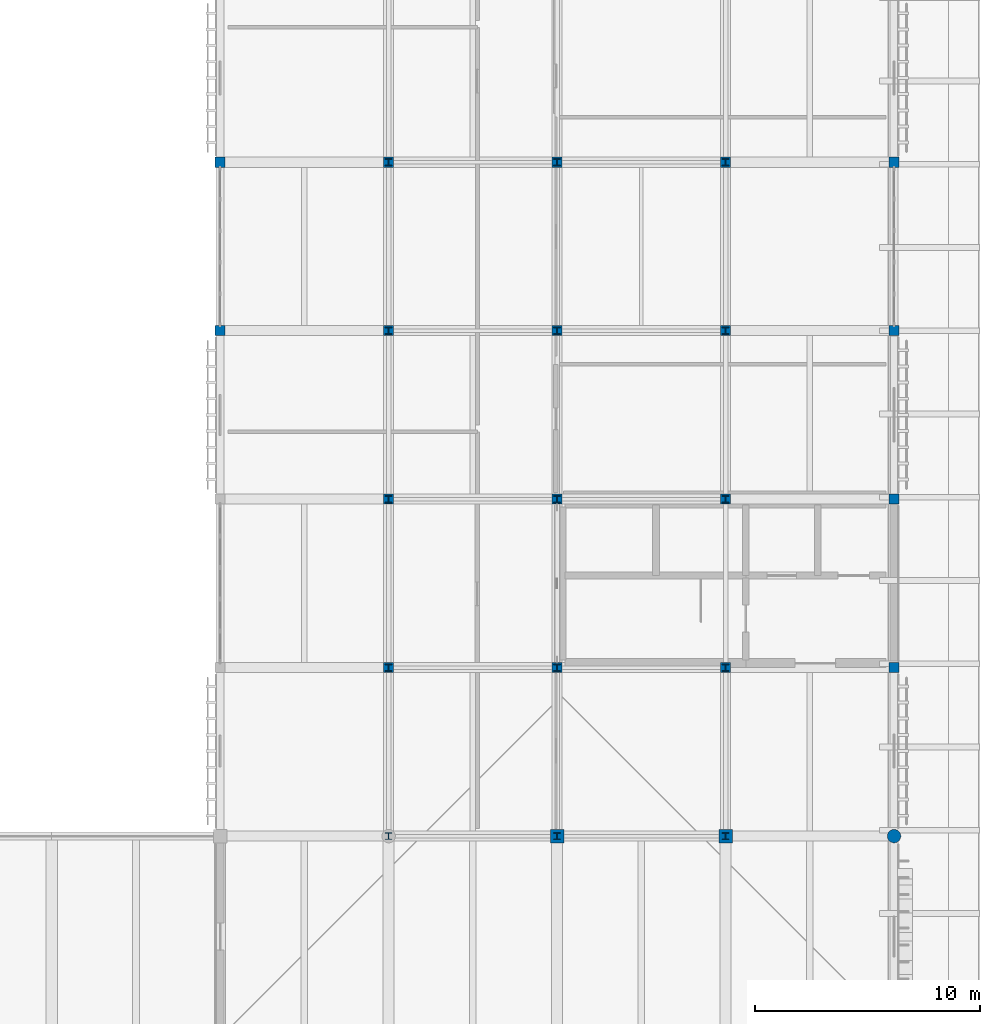
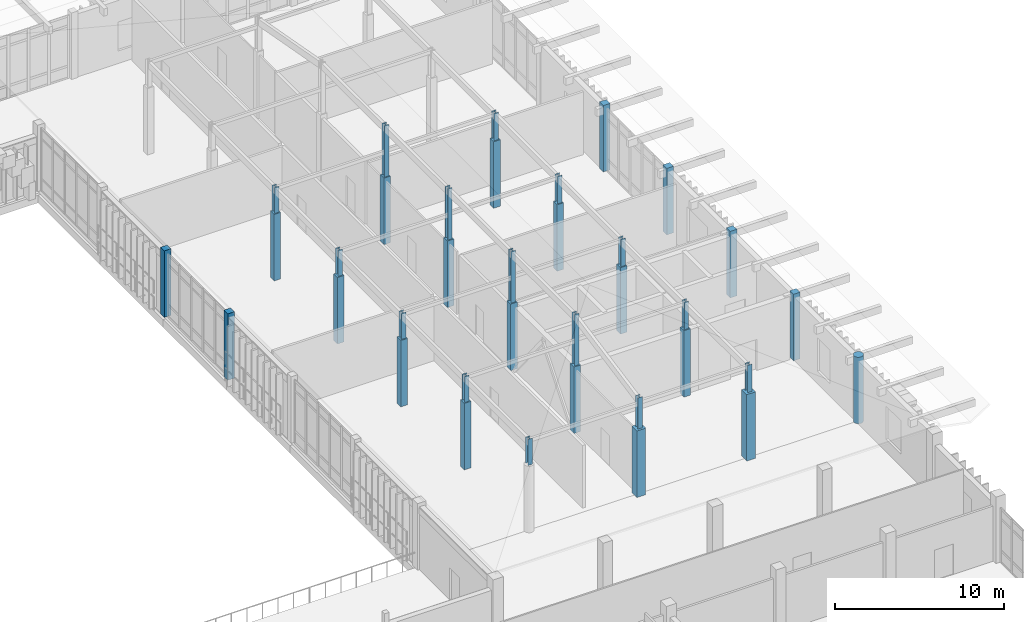
# One storey, part 12 of 131: 36 columns.
"""IFC4 building model written with IfcOpenShell, lengths in metres."""

from ifc_helpers import new_model, si_unit, direction, frame, origin, origin_2d, place, context, subcontext, project, spatial, rectangle, circle, i_section, extrude, material, material_profile, profile_set, type_object, element, save


model = new_model("IFC4")

# Units and contexts
model_context = context("Model", 3, precision=1e-05, world=origin(), true_north=direction((0.0, 1.0)))
body_context = subcontext(model_context, "Body", "Model", "MODEL_VIEW")
ifc_project = project(units=[si_unit("LENGTHUNIT", "METRE"), si_unit("AREAUNIT", "SQUARE_METRE"), si_unit("VOLUMEUNIT", "CUBIC_METRE"), si_unit("PLANEANGLEUNIT", "RADIAN"), si_unit("MASSUNIT", "GRAM", prefix="KILO")], contexts=[model_context])

# Site, building, storey
site_placement = place(None, origin())
site = spatial("IfcSite", under=ifc_project, at=site_placement, CompositionType="ELEMENT")
building_placement = place(site_placement, origin())
building = spatial("IfcBuilding", under=site, at=building_placement, Name="Dalvernix Boulevard General Hospital", CompositionType="ELEMENT")
storey_placement = place(building_placement, frame((0.0, 0.0, 9.300048828125)))
storey = spatial("IfcBuildingStorey", under=building, at=storey_placement, Name="L02", CompositionType="ELEMENT", Elevation=9.300048828125)

# Columns
ifc_material_1 = material(Name="Concrete C40/50", Category="concrete")
ifc_material_profile_1 = material_profile(ifc_material_1, rectangle(XDim=0.60009765625, YDim=0.60009765625, at=origin_2d()), Name="RC 600x600")
ifc_profile_set_1 = profile_set([ifc_material_profile_1], Name="Concrete C40/50")
column_type_1 = type_object("IfcColumnType", Name="COL-C-07-I", PredefinedType="COLUMN", material=ifc_profile_set_1)
for number, where, z_axis, x_axis, name in (
    (1, (157.5, 31.5, 0.0), (0.0, 0.0, 1.0), (1.0, 0.0, 0.0), "L02 column 22E"),
    (2, (165.0, 31.5, 0.0), (0.0, 0.0, 1.0), (1.0, 0.0, 0.0), "L02 column 23E"),
):
    element("IfcColumn", number, at=place(storey_placement, frame(where, z_axis=z_axis, x_axis=x_axis)), inside=storey, type_object=column_type_1, Name=name, PredefinedType="COLUMN", context=body_context, shape_type="SweptSolid", body=[
        extrude(rectangle(XDim=0.60009765625, YDim=0.60009765625, at=origin_2d()), origin(), (0.0, 0.0, 1.0), 4.800048828125),
    ])
ifc_material_profile_2 = material_profile(ifc_material_1, rectangle(XDim=0.449951171875, YDim=0.449951171875, at=origin_2d()), Name="RC 450x450")
ifc_profile_set_2 = profile_set([ifc_material_profile_2], Name="Concrete C40/50")
column_type_2 = type_object("IfcColumnType", Name="COL-C-10-E", PredefinedType="COLUMN", material=ifc_profile_set_2)
for number, where, z_axis, x_axis, name in (
    (3, (142.5, 54.0, 0.0), (0.0, 0.0, 1.0), (1.0, 0.0, 0.0), "L02 column 20H"),
    (4, (142.5, 61.5, 0.0), (0.0, 0.0, 1.0), (1.0, 0.0, 0.0), "L02 column 20J"),
    (5, (172.5, 39.0, 0.0), (0.0, 0.0, 1.0), (1.0, 0.0, 0.0), "L02 column 24F"),
    (6, (172.5, 46.5, 0.0), (0.0, 0.0, 1.0), (1.0, 0.0, 0.0), "L02 column 24G"),
    (7, (172.5, 54.0, 0.0), (0.0, 0.0, 1.0), (1.0, 0.0, 0.0), "L02 column 24H"),
    (8, (172.5, 61.5, 0.0), (0.0, 0.0, 1.0), (1.0, 0.0, 0.0), "L02 column 24J"),
):
    element("IfcColumn", number, at=place(storey_placement, frame(where, z_axis=z_axis, x_axis=x_axis)), inside=storey, type_object=column_type_2, Name=name, PredefinedType="COLUMN", context=body_context, shape_type="SweptSolid", body=[
        extrude(rectangle(XDim=0.449951171875, YDim=0.449951171875, at=origin_2d()), origin(), (0.0, 0.0, 1.0), 4.800048828125),
    ])
ifc_material_profile_3 = material_profile(ifc_material_1, rectangle(XDim=0.449951171875, YDim=0.449951171875, at=origin_2d()), Name="RC 450x450")
ifc_profile_set_3 = profile_set([ifc_material_profile_3], Name="Concrete C40/50")
column_type_3 = type_object("IfcColumnType", Name="COL-C-10-I", PredefinedType="COLUMN", material=ifc_profile_set_3)
for number, where, z_axis, x_axis, name in (
    (9, (150.0, 39.0, 0.0), (0.0, 0.0, 1.0), (1.0, 0.0, 0.0), "L02 column 21F"),
    (10, (150.0, 46.5, 0.0), (0.0, 0.0, 1.0), (1.0, 0.0, 0.0), "L02 column 21G"),
    (11, (150.0, 54.0, 0.0), (0.0, 0.0, 1.0), (1.0, 0.0, 0.0), "L02 column 21H"),
    (12, (150.0, 61.5, 0.0), (0.0, 0.0, 1.0), (1.0, 0.0, 0.0), "L02 column 21J"),
    (13, (157.5, 39.0, 0.0), (0.0, 0.0, 1.0), (1.0, 0.0, 0.0), "L02 column 22F"),
    (14, (157.5, 46.5, 0.0), (0.0, 0.0, 1.0), (1.0, 0.0, 0.0), "L02 column 22G"),
    (15, (157.5, 54.0, 0.0), (0.0, 0.0, 1.0), (1.0, 0.0, 0.0), "L02 column 22H"),
    (16, (157.5, 61.5, 0.0), (0.0, 0.0, 1.0), (1.0, 0.0, 0.0), "L02 column 22J"),
    (17, (165.0, 39.0, 0.0), (0.0, 0.0, 1.0), (1.0, 0.0, 0.0), "L02 column 23F"),
    (18, (165.0, 46.5, 0.0), (0.0, 0.0, 1.0), (1.0, 0.0, 0.0), "L02 column 23G"),
    (19, (165.0, 54.0, 0.0), (0.0, 0.0, 1.0), (1.0, 0.0, 0.0), "L02 column 23H"),
    (20, (165.0, 61.5, 0.0), (0.0, 0.0, 1.0), (1.0, 0.0, 0.0), "L02 column 23J"),
):
    element("IfcColumn", number, at=place(storey_placement, frame(where, z_axis=z_axis, x_axis=x_axis)), inside=storey, type_object=column_type_3, Name=name, PredefinedType="COLUMN", context=body_context, shape_type="SweptSolid", body=[
        extrude(rectangle(XDim=0.449951171875, YDim=0.449951171875, at=origin_2d()), origin(), (0.0, 0.0, 1.0), 4.800048828125),
    ])
ifc_material_profile_4 = material_profile(ifc_material_1, circle(Radius=0.300048828125, at=origin_2d()), Name="RC D600")
ifc_profile_set_4 = profile_set([ifc_material_profile_4], Name="Concrete C40/50")
column_type_4 = type_object("IfcColumnType", Name="COL-C-15-E", PredefinedType="COLUMN", material=ifc_profile_set_4)
column_1_placement = place(storey_placement, frame((172.5, 31.5, 0.0), z_axis=(0.0, 0.0, 1.0), x_axis=(1.0, 0.0, 0.0)))
element("IfcColumn", 21, at=column_1_placement, inside=storey, type_object=column_type_4, Name="L02 column 24E", PredefinedType="COLUMN", context=body_context, shape_type="SweptSolid", body=[
    extrude(circle(Radius=0.300048828125, at=origin_2d()), origin(), (0.0, 0.0, 1.0), 4.800048828125),
])
ifc_material_2 = material(Name="Steel S355", Category="steel")
ifc_material_profile_5 = material_profile(ifc_material_2, i_section(OverallWidth=0.300048828125, OverallDepth=0.300048828125, WebThickness=0.010986328125, FlangeThickness=0.01904296875, FilletRadius=0.027099609375, at=origin_2d()), Name="HEB 300")
ifc_profile_set_5 = profile_set([ifc_material_profile_5], Name="Steel S355")
column_type_5 = type_object("IfcColumnType", Name="COL-C-18", PredefinedType="COLUMN", material=ifc_profile_set_5)
for number, where, z_axis, x_axis, name in (
    (22, (150.0, 31.5, 4.800048828125), (0.0, 0.0, 1.0), (1.0, 0.0, 0.0), "V2 roof king post 21E"),
    (23, (150.0, 39.0, 4.800048828125), (0.0, 0.0, 1.0), (1.0, 0.0, 0.0), "V2 roof king post 21F"),
    (24, (150.0, 46.5, 4.800048828125), (0.0, 0.0, 1.0), (1.0, 0.0, 0.0), "V2 roof king post 21G"),
    (25, (150.0, 54.0, 4.800048828125), (0.0, 0.0, 1.0), (1.0, 0.0, 0.0), "V2 roof king post 21H"),
    (26, (150.0, 61.5, 4.800048828125), (0.0, 0.0, 1.0), (1.0, 0.0, 0.0), "V2 roof king post 21J"),
):
    element("IfcColumn", number, at=place(storey_placement, frame(where, z_axis=z_axis, x_axis=x_axis)), inside=storey, type_object=column_type_5, Name=name, PredefinedType="COLUMN", context=body_context, shape_type="SweptSolid", body=[
        extrude(i_section(OverallWidth=0.300048828125, OverallDepth=0.300048828125, WebThickness=0.010986328125, FlangeThickness=0.01904296875, FilletRadius=0.027099609375, at=origin_2d()), origin(), (0.0, 0.0, 1.0), 1.87158203125),
    ])
column_2_placement = place(storey_placement, frame((157.5, 31.5, 4.800048828125), z_axis=(0.0, 0.0, 1.0), x_axis=(1.0, 0.0, 0.0)))
element("IfcColumn", 27, at=column_2_placement, inside=storey, type_object=column_type_5, Name="V2 roof king post 22E", PredefinedType="COLUMN", context=body_context, shape_type="SweptSolid", body=[
    extrude(i_section(OverallWidth=0.300048828125, OverallDepth=0.300048828125, WebThickness=0.010986328125, FlangeThickness=0.01904296875, FilletRadius=0.027099609375, at=origin_2d()), origin(), (0.0, 0.0, 1.0), 2.240234375),
])
for number, where, z_axis, x_axis, name in (
    (28, (157.5, 39.0, 4.800048828125), (0.0, 0.0, 1.0), (1.0, 0.0, 0.0), "V2 roof king post 22F"),
    (29, (157.5, 46.5, 4.800048828125), (0.0, 0.0, 1.0), (1.0, 0.0, 0.0), "V2 roof king post 22G"),
    (30, (157.5, 54.0, 4.800048828125), (0.0, 0.0, 1.0), (1.0, 0.0, 0.0), "V2 roof king post 22H"),
    (31, (157.5, 61.5, 4.800048828125), (0.0, 0.0, 1.0), (1.0, 0.0, 0.0), "V2 roof king post 22J"),
):
    element("IfcColumn", number, at=place(storey_placement, frame(where, z_axis=z_axis, x_axis=x_axis)), inside=storey, type_object=column_type_5, Name=name, PredefinedType="COLUMN", context=body_context, shape_type="SweptSolid", body=[
        extrude(i_section(OverallWidth=0.300048828125, OverallDepth=0.300048828125, WebThickness=0.010986328125, FlangeThickness=0.01904296875, FilletRadius=0.027099609375, at=origin_2d()), origin(), (0.0, 0.0, 1.0), 3.7138671875),
    ])
for number, where, z_axis, x_axis, name in (
    (32, (165.0, 31.5, 4.800048828125), (0.0, 0.0, 1.0), (1.0, 0.0, 0.0), "V2 roof king post 23E"),
    (33, (165.0, 39.0, 4.800048828125), (0.0, 0.0, 1.0), (1.0, 0.0, 0.0), "V2 roof king post 23F"),
    (34, (165.0, 46.5, 4.800048828125), (0.0, 0.0, 1.0), (1.0, 0.0, 0.0), "V2 roof king post 23G"),
    (35, (165.0, 54.0, 4.800048828125), (0.0, 0.0, 1.0), (1.0, 0.0, 0.0), "V2 roof king post 23H"),
    (36, (165.0, 61.5, 4.800048828125), (0.0, 0.0, 1.0), (1.0, 0.0, 0.0), "V2 roof king post 23J"),
):
    element("IfcColumn", number, at=place(storey_placement, frame(where, z_axis=z_axis, x_axis=x_axis)), inside=storey, type_object=column_type_5, Name=name, PredefinedType="COLUMN", context=body_context, shape_type="SweptSolid", body=[
        extrude(i_section(OverallWidth=0.300048828125, OverallDepth=0.300048828125, WebThickness=0.010986328125, FlangeThickness=0.01904296875, FilletRadius=0.027099609375, at=origin_2d()), origin(), (0.0, 0.0, 1.0), 1.969970703125),
    ])

save(model, "model.ifc")
